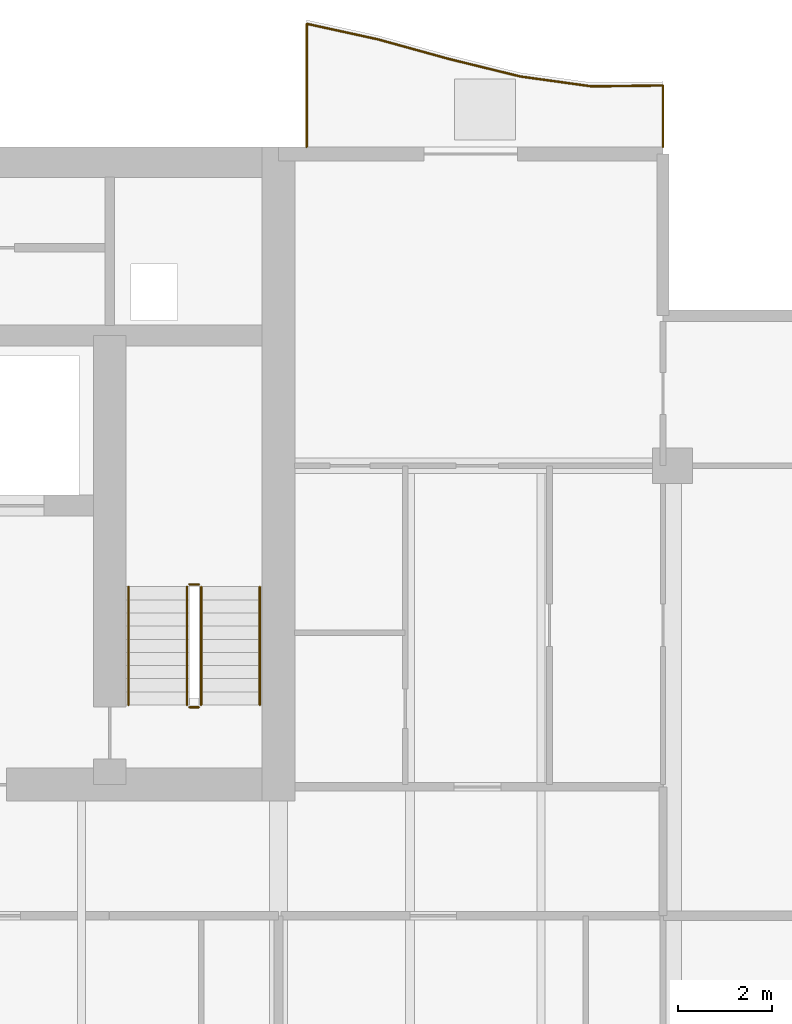
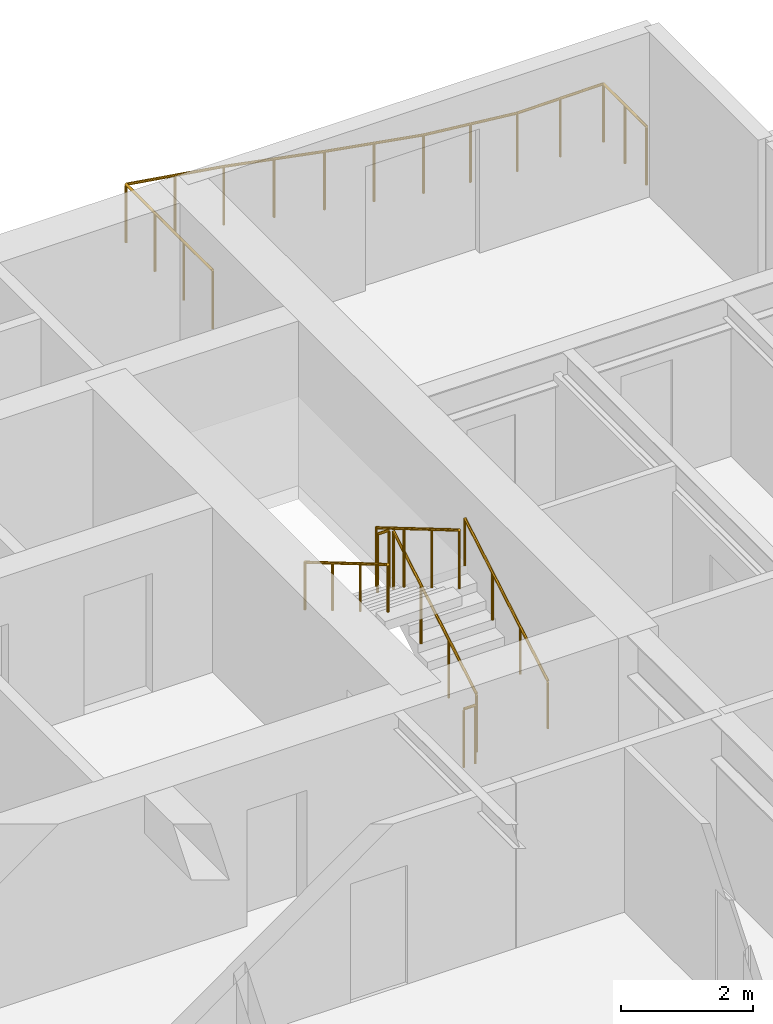
# One storey, part 18 of 19: 7 railings.
"""IFC4 building model written with IfcOpenShell, lengths in metres."""

from ifc_helpers import new_model, si_unit, direction, frame, origin, origin_2d, place, context, subcontext, project, spatial, circle, extrude, material, type_object, element, save


model = new_model("IFC4")

# Units and contexts
model_context = context("Model", 3, precision=1e-05, world=origin(), true_north=direction((0.0, 1.0)))
body_context = subcontext(model_context, "Body", "Model", "MODEL_VIEW")
ifc_project = project(units=[si_unit("LENGTHUNIT", "METRE"), si_unit("AREAUNIT", "SQUARE_METRE"), si_unit("VOLUMEUNIT", "CUBIC_METRE"), si_unit("PLANEANGLEUNIT", "RADIAN"), si_unit("MASSUNIT", "GRAM", prefix="KILO")], contexts=[model_context])

# Site, building, storey
site_placement = place(None, origin())
site = spatial("IfcSite", under=ifc_project, at=site_placement, CompositionType="ELEMENT")
building_placement = place(site_placement, origin())
building = spatial("IfcBuilding", under=site, at=building_placement, Name="Caelmar Bay Residences", CompositionType="ELEMENT")
storey_placement = place(building_placement, frame((0.0, 0.0, 160.5)))
storey = spatial("IfcBuildingStorey", under=building, at=storey_placement, Name="L44", CompositionType="ELEMENT", Elevation=160.5)

# Railings
ifc_material_1 = material(Name="Anodised bronze handrail with laminated hurricane glass infill", Category="glass")
railing_type_1 = type_object("IfcRailingType", Name="RL-BAL-1100", PredefinedType="BALUSTRADE", material=ifc_material_1)
railing_1_placement = place(storey_placement, frame((67.699951171875, 50.60009765625, 0.0)))
element("IfcRailing", 1, at=railing_1_placement, inside=storey, type_object=railing_type_1, Name="L44 north_east Balcony Balustrade", PredefinedType="BALUSTRADE", context=body_context, shape_type="SweptSolid", body=[
    extrude(circle(Radius=0.02392578125, at=origin_2d()), frame((0.0, 0.0, 1.076171875), z_axis=(0.0, 1.0, 0.0), x_axis=(-1.0, 0.0, 0.0)), (0.0, 0.0, 1.0), 1.310302734375),
    extrude(circle(Radius=0.02392578125, at=origin_2d()), frame((0.0, 1.310302734375, 1.076171875), z_axis=(-0.999921532492, -0.012527124885, 0.0), x_axis=(0.012527124885, -0.999921532492, 0.0)), (0.0, 0.0, 1.0), 1.52001953125),
    extrude(circle(Radius=0.02392578125, at=origin_2d()), frame((-1.52001953125, 1.291259765625, 1.076171875), z_axis=(-0.990551196857, 0.137143451926, 0.0), x_axis=(-0.137143451926, -0.990551196857, 0.0)), (0.0, 0.0, 1.0), 1.534423828125),
    extrude(circle(Radius=0.02392578125, at=origin_2d()), frame((-3.0400390625, 1.501708984375, 1.076171875), z_axis=(-0.971143394628, 0.238496346031, 0.0), x_axis=(-0.238496346031, -0.971143394628, 0.0)), (0.0, 0.0, 1.0), 1.565185546875),
    extrude(circle(Radius=0.02392578125, at=origin_2d()), frame((-4.56005859375, 1.875, 1.076171875), z_axis=(-0.964041885028, 0.265750341319, 0.0), x_axis=(-0.265750341319, -0.964041885028, 0.0)), (0.0, 0.0, 1.0), 1.576416015625),
    extrude(circle(Radius=0.02392578125, at=origin_2d()), frame((-6.079833984375, 2.2939453125, 1.076171875), z_axis=(-0.976865202557, 0.2138559703, 0.0), x_axis=(-0.2138559703, -0.976865202557, 0.0)), (0.0, 0.0, 1.0), 1.555908203125),
    extrude(circle(Radius=0.02392578125, at=origin_2d()), frame((-7.599853515625, 2.626708984375, 1.076171875), z_axis=(0.0, -1.0, 0.0), x_axis=(1.0, 0.0, 0.0)), (0.0, 0.0, 1.0), 2.626708984375),
    extrude(circle(Radius=0.02099609375, at=origin_2d()), origin(), (0.0, 0.0, 1.0), 1.052001953125),
    extrude(circle(Radius=0.02099609375, at=origin_2d()), frame((0.0, 0.6552734375, 0.0)), (0.0, 0.0, 1.0), 1.052001953125),
    extrude(circle(Radius=0.02099609375, at=origin_2d()), frame((0.0, 1.310302734375, 0.0)), (0.0, 0.0, 1.0), 1.052001953125),
    extrude(circle(Radius=0.02099609375, at=origin_2d()), frame((-0.760009765625, 1.30078125, 0.0)), (0.0, 0.0, 1.0), 1.052001953125),
    extrude(circle(Radius=0.02099609375, at=origin_2d()), frame((-1.52001953125, 1.291259765625, 0.0)), (0.0, 0.0, 1.0), 1.052001953125),
    extrude(circle(Radius=0.02099609375, at=origin_2d()), frame((-2.280029296875, 1.396484375, 0.0)), (0.0, 0.0, 1.0), 1.052001953125),
    extrude(circle(Radius=0.02099609375, at=origin_2d()), frame((-3.0400390625, 1.501708984375, 0.0)), (0.0, 0.0, 1.0), 1.052001953125),
    extrude(circle(Radius=0.02099609375, at=origin_2d()), frame((-3.800048828125, 1.6884765625, 0.0)), (0.0, 0.0, 1.0), 1.052001953125),
    extrude(circle(Radius=0.02099609375, at=origin_2d()), frame((-4.56005859375, 1.875, 0.0)), (0.0, 0.0, 1.0), 1.052001953125),
    extrude(circle(Radius=0.02099609375, at=origin_2d()), frame((-5.31982421875, 2.08447265625, 0.0)), (0.0, 0.0, 1.0), 1.052001953125),
    extrude(circle(Radius=0.02099609375, at=origin_2d()), frame((-6.079833984375, 2.2939453125, 0.0)), (0.0, 0.0, 1.0), 1.052001953125),
    extrude(circle(Radius=0.02099609375, at=origin_2d()), frame((-6.83984375, 2.46044921875, 0.0)), (0.0, 0.0, 1.0), 1.052001953125),
    extrude(circle(Radius=0.02099609375, at=origin_2d()), frame((-7.599853515625, 2.626708984375, 0.0)), (0.0, 0.0, 1.0), 1.052001953125),
    extrude(circle(Radius=0.02099609375, at=origin_2d()), frame((-7.599853515625, 1.751220703125, 0.0)), (0.0, 0.0, 1.0), 1.052001953125),
    extrude(circle(Radius=0.02099609375, at=origin_2d()), frame((-7.599853515625, 0.87548828125, 0.0)), (0.0, 0.0, 1.0), 1.052001953125),
    extrude(circle(Radius=0.02099609375, at=origin_2d()), frame((-7.599853515625, 0.0, 0.0)), (0.0, 0.0, 1.0), 1.052001953125),
])
ifc_material_2 = material(Name="Painted galvanized steel stair guard 1100 mm", Category="steel")
railing_type_2 = type_object("IfcRailingType", Name="RL-GRD-1100", PredefinedType="GUARDRAIL", material=ifc_material_2)
railing_2_placement = place(storey_placement, frame((57.85009765625, 38.699951171875, 0.1650390625)))
element("IfcRailing", 2, at=railing_2_placement, inside=storey, type_object=railing_type_2, Name="L44 ST2 stair guard 1", PredefinedType="GUARDRAIL", context=body_context, shape_type="SweptSolid", body=[
    extrude(circle(Radius=0.02392578125, at=origin_2d()), frame((0.0, 0.0, 1.076171875), z_axis=(0.0, 0.861560626758, 0.507654692109), x_axis=(-1.0, 0.0, 0.0)), (0.0, 0.0, 1.0), 2.925048828125),
    extrude(circle(Radius=0.02099609375, at=origin_2d()), origin(), (0.0, 0.0, 1.0), 1.052001953125),
    extrude(circle(Radius=0.02099609375, at=origin_2d()), frame((0.0, 0.840087890625, 0.494873046875)), (0.0, 0.0, 1.0), 1.052001953125),
    extrude(circle(Radius=0.02099609375, at=origin_2d()), frame((0.0, 1.679931640625, 0.989990234375)), (0.0, 0.0, 1.0), 1.052001953125),
    extrude(circle(Radius=0.02099609375, at=origin_2d()), frame((0.0, 2.52001953125, 1.48486328125)), (0.0, 0.0, 1.0), 1.052001953125),
])
railing_3_placement = place(storey_placement, frame((57.800048828125, 41.27001953125, 1.64990234375)))
element("IfcRailing", 3, at=railing_3_placement, inside=storey, type_object=railing_type_2, Name="L44 ST2 stair guard 2", PredefinedType="GUARDRAIL", context=body_context, shape_type="SweptSolid", body=[
    extrude(circle(Radius=0.02392578125, at=origin_2d()), frame((0.0, 0.0, 1.076171875), z_axis=(-1.0, 0.0, 0.0), x_axis=(0.0, -1.0, 0.0)), (0.0, 0.0, 1.0), 0.199951171875),
    extrude(circle(Radius=0.02099609375, at=origin_2d()), origin(), (0.0, 0.0, 1.0), 1.052001953125),
    extrude(circle(Radius=0.02099609375, at=origin_2d()), frame((-0.199951171875, 0.0, 0.0)), (0.0, 0.0, 1.0), 1.052001953125),
])
railing_4_placement = place(storey_placement, frame((57.550048828125, 41.219970703125, 1.81494140625)))
element("IfcRailing", 4, at=railing_4_placement, inside=storey, type_object=railing_type_2, Name="L44 ST2 stair guard 3", PredefinedType="GUARDRAIL", context=body_context, shape_type="SweptSolid", body=[
    extrude(circle(Radius=0.02392578125, at=origin_2d()), frame((0.0, 0.0, 1.076171875), z_axis=(0.0, -0.86152411907, 0.507716645641), x_axis=(1.0, 0.0, 0.0)), (0.0, 0.0, 1.0), 2.925048828125),
    extrude(circle(Radius=0.02099609375, at=origin_2d()), origin(), (0.0, 0.0, 1.0), 1.052001953125),
    extrude(circle(Radius=0.02099609375, at=origin_2d()), frame((0.0, -0.840087890625, 0.4951171875)), (0.0, 0.0, 1.0), 1.052001953125),
    extrude(circle(Radius=0.02099609375, at=origin_2d()), frame((0.0, -1.679931640625, 0.989990234375)), (0.0, 0.0, 1.0), 1.052001953125),
    extrude(circle(Radius=0.02099609375, at=origin_2d()), frame((0.0, -2.52001953125, 1.485107421875)), (0.0, 0.0, 1.0), 1.052001953125),
])
railing_5_placement = place(storey_placement, frame((57.800048828125, 38.64990234375, 0.0)))
element("IfcRailing", 5, at=railing_5_placement, inside=storey, type_object=railing_type_2, Name="L44 ST2 stair guard 4", PredefinedType="GUARDRAIL", context=body_context, shape_type="SweptSolid", body=[
    extrude(circle(Radius=0.02392578125, at=origin_2d()), frame((0.0, 0.0, 1.076171875), z_axis=(-1.0, 0.0, 0.0), x_axis=(0.0, -1.0, 0.0)), (0.0, 0.0, 1.0), 0.199951171875),
    extrude(circle(Radius=0.02099609375, at=origin_2d()), origin(), (0.0, 0.0, 1.0), 1.052001953125),
    extrude(circle(Radius=0.02099609375, at=origin_2d()), frame((-0.199951171875, 0.0, 0.0)), (0.0, 0.0, 1.0), 1.052001953125),
])
ifc_material_3 = material(Name="Brushed bronze stainless-steel tubular handrail 900 mm", Category="steel")
railing_type_3 = type_object("IfcRailingType", Name="RL-HND-900", PredefinedType="HANDRAIL", material=ifc_material_3)
railing_6_placement = place(storey_placement, frame((59.10009765625, 38.699951171875, 0.1650390625)))
element("IfcRailing", 6, at=railing_6_placement, inside=storey, type_object=railing_type_3, Name="L44 ST2 stair handrail 1", PredefinedType="HANDRAIL", context=body_context, shape_type="SweptSolid", body=[
    extrude(circle(Radius=0.02392578125, at=origin_2d()), frame((0.0, 0.0, 0.8759765625), z_axis=(0.0, 0.861560626758, 0.507654692109), x_axis=(-1.0, 0.0, 0.0)), (0.0, 0.0, 1.0), 2.925048828125),
    extrude(circle(Radius=0.02099609375, at=origin_2d()), origin(), (0.0, 0.0, 1.0), 0.851806640625),
    extrude(circle(Radius=0.02099609375, at=origin_2d()), frame((0.0, 0.840087890625, 0.494873046875)), (0.0, 0.0, 1.0), 0.851806640625),
    extrude(circle(Radius=0.02099609375, at=origin_2d()), frame((0.0, 1.679931640625, 0.989990234375)), (0.0, 0.0, 1.0), 0.851806640625),
    extrude(circle(Radius=0.02099609375, at=origin_2d()), frame((0.0, 2.52001953125, 1.48486328125)), (0.0, 0.0, 1.0), 0.851806640625),
])
railing_7_placement = place(storey_placement, frame((56.300048828125, 41.219970703125, 1.81494140625)))
element("IfcRailing", 7, at=railing_7_placement, inside=storey, type_object=railing_type_3, Name="L44 ST2 stair handrail 2", PredefinedType="HANDRAIL", context=body_context, shape_type="SweptSolid", body=[
    extrude(circle(Radius=0.02392578125, at=origin_2d()), frame((0.0, 0.0, 0.8759765625), z_axis=(0.0, -0.86152411907, 0.507716645641), x_axis=(1.0, 0.0, 0.0)), (0.0, 0.0, 1.0), 2.925048828125),
    extrude(circle(Radius=0.02099609375, at=origin_2d()), origin(), (0.0, 0.0, 1.0), 0.851806640625),
    extrude(circle(Radius=0.02099609375, at=origin_2d()), frame((0.0, -0.840087890625, 0.4951171875)), (0.0, 0.0, 1.0), 0.851806640625),
    extrude(circle(Radius=0.02099609375, at=origin_2d()), frame((0.0, -1.679931640625, 0.989990234375)), (0.0, 0.0, 1.0), 0.851806640625),
    extrude(circle(Radius=0.02099609375, at=origin_2d()), frame((0.0, -2.52001953125, 1.485107421875)), (0.0, 0.0, 1.0), 0.851806640625),
])

save(model, "model.ifc")
